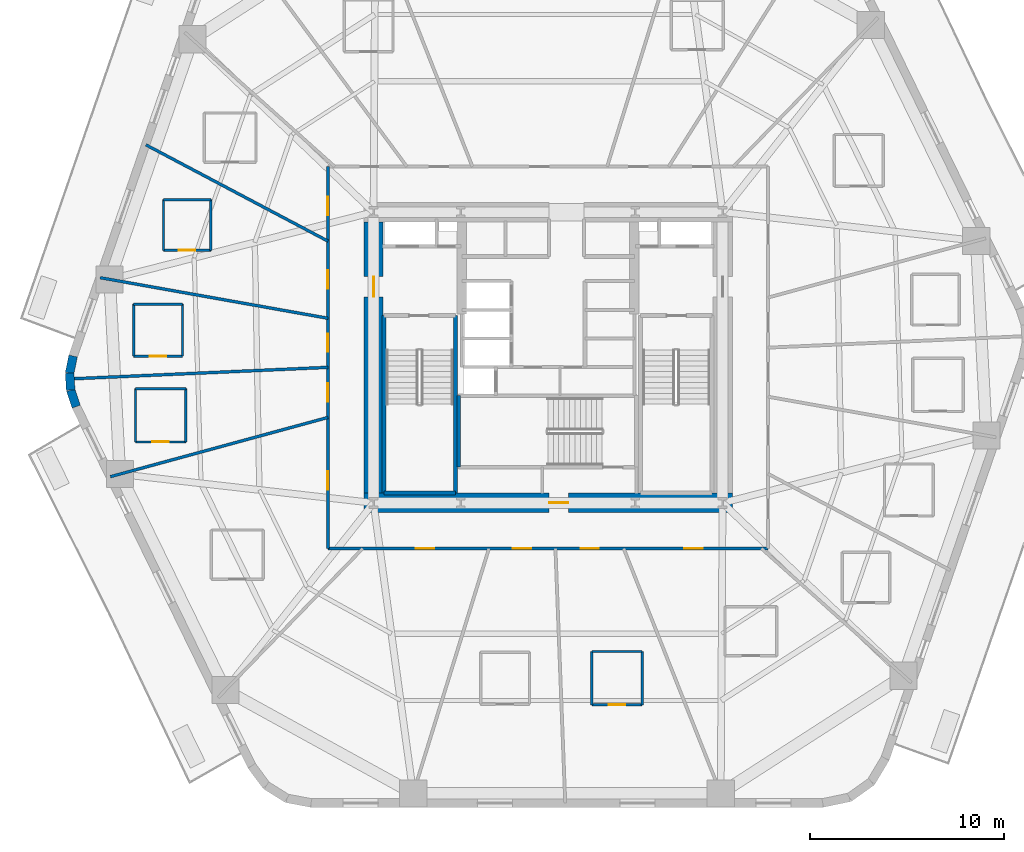
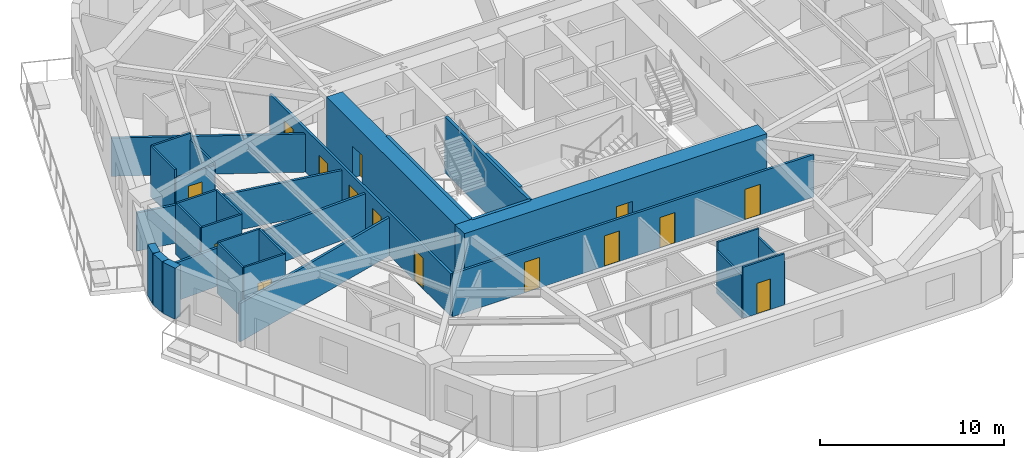
# One storey, part 3 of 10: 31 walls, 15 doors, 15 openings.
"""IFC4 building model written with IfcOpenShell, lengths in metres."""

from ifc_helpers import new_model, si_unit, direction, frame, frame_2d, origin, place, context, subcontext, project, spatial, rectangle, extrude, material, layer, layer_set, type_object, element, fill, save


model = new_model("IFC4")

# Units and contexts
model_context = context("Model", 3, precision=1e-05, world=origin(), true_north=direction((0.0, 1.0)))
body_context = subcontext(model_context, "Body", "Model", "MODEL_VIEW")
ifc_project = project(units=[si_unit("LENGTHUNIT", "METRE"), si_unit("AREAUNIT", "SQUARE_METRE"), si_unit("VOLUMEUNIT", "CUBIC_METRE"), si_unit("PLANEANGLEUNIT", "RADIAN"), si_unit("MASSUNIT", "GRAM", prefix="KILO")], contexts=[model_context])

# Site, building, storey
site_placement = place(None, origin())
site = spatial("IfcSite", under=ifc_project, at=site_placement, CompositionType="ELEMENT")
building_placement = place(site_placement, origin())
building = spatial("IfcBuilding", under=site, at=building_placement, Name="Kilnhurst Terrace Hotel", CompositionType="ELEMENT")
storey_placement = place(building_placement, frame((0.0, 0.0, 45.300048828125)))
storey = spatial("IfcBuildingStorey", under=building, at=storey_placement, Name="L09", CompositionType="ELEMENT", Elevation=45.300048828125)

# Walls
ifc_material_1 = material(Name="Precast concrete C40/50", Category="concrete")
ifc_layer_1 = layer(ifc_material_1, 0.449951171875, Name="Precast concrete C40/50")
ifc_layer_set_1 = layer_set([ifc_layer_1], Name="Precast concrete C40/50")
wall_type_1 = type_object("IfcWallType", Name="WL-BRK-450", PredefinedType="SOLIDWALL", material=ifc_layer_set_1)
wall_1_placement = place(storey_placement, frame((-24.49560546875, 0.07666015625, 0.0), z_axis=(0.0, 0.0, 1.0), x_axis=(-0.199570594521, -0.979883451132, 0.0)))
element("IfcWall", 1, at=wall_1_placement, inside=storey, type_object=wall_type_1, Name="L09 Rounded Corner Brick Wall C6.1", PredefinedType="SOLIDWALL", context=body_context, shape_type="SweptSolid", body=[
    extrude(rectangle(XDim=0.896728515625, YDim=0.449951171875, at=frame_2d((0.4482421875, 0.0))), origin(), (0.0, 0.0, 1.0), 3.39990234375),
])
wall_2_placement = place(storey_placement, frame((-24.674560546875, -0.802001953125, 0.0), z_axis=(0.0, 0.0, 1.0), x_axis=(0.061188874166, -0.998126205286, 0.0)))
element("IfcWall", 2, at=wall_2_placement, inside=storey, type_object=wall_type_1, Name="L09 Rounded Corner Brick Wall C6.2", PredefinedType="SOLIDWALL", context=body_context, shape_type="SweptSolid", body=[
    extrude(rectangle(XDim=0.8818359375, YDim=0.449951171875, at=frame_2d((0.44091796875, 0.0))), origin(), (0.0, 0.0, 1.0), 3.39990234375),
])
wall_3_placement = place(storey_placement, frame((-24.62060546875, -1.68212890625, 0.0), z_axis=(0.0, 0.0, 1.0), x_axis=(0.317697451681, -0.948192137278, 0.0)))
element("IfcWall", 3, at=wall_3_placement, inside=storey, type_object=wall_type_1, Name="L09 Rounded Corner Brick Wall C6.3", PredefinedType="SOLIDWALL", context=body_context, shape_type="SweptSolid", body=[
    extrude(rectangle(XDim=0.896728515625, YDim=0.449951171875, at=frame_2d((0.4482421875, 0.0))), origin(), (0.0, 0.0, 1.0), 3.39990234375),
])

# Wall, openings, doors
ifc_material_2 = material(Name="Acoustic Double-Gypsum Corridor Partition Assembly")
ifc_layer_2 = layer(ifc_material_2, 0.14990234375, Name="Acoustic Double-Gypsum Corridor Partition Assembly")
ifc_layer_set_2 = layer_set([ifc_layer_2], Name="Acoustic Double-Gypsum Corridor Partition Assembly")
wall_type_2 = type_object("IfcWallType", Name="WL-COR-150", PredefinedType="PARTITIONING", material=ifc_layer_set_2)
wall_4_placement = place(storey_placement, frame((-11.35009765625, -9.85009765625, 0.0), z_axis=(0.0, 0.0, 1.0), x_axis=(0.0, 1.0, 0.0)))
wall_4 = element("IfcWall", 4, at=wall_4_placement, inside=storey, type_object=wall_type_2, Name="L09 Interior Wall WL-L09-COR-01", PredefinedType="PARTITIONING", context=body_context, shape_type="SweptSolid", body=[
    extrude(rectangle(XDim=19.7001953125, YDim=0.14990234375, at=frame_2d((9.85009765625, 0.0))), origin(), (0.0, 0.0, 1.0), 2.83984375),
])
opening_1_placement = place(wall_4_placement, frame((17.180908203125, 0.0, 0.0)))
opening_1 = element("IfcOpeningElement", 5, at=opening_1_placement, cuts=wall_4, Name="Opening D-60B", PredefinedType="OPENING", context=body_context, shape_type="SweptSolid", body=[
    extrude(rectangle(XDim=0.949951171875, YDim=2.030029296875, at=frame_2d((0.47509765625, 1.01513671875))), frame((0.0, 0.0849609375, 0.0), z_axis=(0.0, -1.0, 0.0), x_axis=(1.0, 0.0, 0.0)), (0.0, 0.0, 1.0), 0.169921875),
])
opening_2_placement = place(wall_4_placement, frame((13.403076171875, 0.0, 0.0)))
opening_2 = element("IfcOpeningElement", 6, at=opening_2_placement, cuts=wall_4, Name="Opening D-60B", PredefinedType="OPENING", context=body_context, shape_type="SweptSolid", body=[
    extrude(rectangle(XDim=0.949951171875, YDim=2.030029296875, at=frame_2d((0.47509765625, 1.01513671875))), frame((0.0, 0.0849609375, 0.0), z_axis=(0.0, -1.0, 0.0), x_axis=(1.0, 0.0, 0.0)), (0.0, 0.0, 1.0), 0.169921875),
])
opening_3_placement = place(wall_4_placement, frame((10.134033203125, 0.0, 0.0)))
opening_3 = element("IfcOpeningElement", 7, at=opening_3_placement, cuts=wall_4, Name="Opening D-60B", PredefinedType="OPENING", context=body_context, shape_type="SweptSolid", body=[
    extrude(rectangle(XDim=0.949951171875, YDim=2.030029296875, at=frame_2d((0.47509765625, 1.01513671875))), frame((0.0, 0.0849609375, 0.0), z_axis=(0.0, -1.0, 0.0), x_axis=(1.0, 0.0, 0.0)), (0.0, 0.0, 1.0), 0.169921875),
])
opening_4_placement = place(wall_4_placement, frame((7.571044921875, 0.0, 0.0)))
opening_4 = element("IfcOpeningElement", 8, at=opening_4_placement, cuts=wall_4, Name="Opening D-60B", PredefinedType="OPENING", context=body_context, shape_type="SweptSolid", body=[
    extrude(rectangle(XDim=0.949951171875, YDim=2.030029296875, at=frame_2d((0.47509765625, 1.01513671875))), frame((0.0, 0.0849609375, 0.0), z_axis=(0.0, -1.0, 0.0), x_axis=(1.0, 0.0, 0.0)), (0.0, 0.0, 1.0), 0.169921875),
])
opening_5_placement = place(wall_4_placement, frame((3.02392578125, 0.0, 0.0)))
opening_5 = element("IfcOpeningElement", 9, at=opening_5_placement, cuts=wall_4, Name="Opening D-60B", PredefinedType="OPENING", context=body_context, shape_type="SweptSolid", body=[
    extrude(rectangle(XDim=0.949951171875, YDim=2.030029296875, at=frame_2d((0.47509765625, 1.01513671875))), frame((0.0, 0.0849609375, 0.0), z_axis=(0.0, -1.0, 0.0), x_axis=(1.0, 0.0, 0.0)), (0.0, 0.0, 1.0), 0.169921875),
])
ifc_material_3 = material(Name="Acoustic Walnut Veneer Solid-Core Fire Door")
door_type_1 = type_object("IfcDoorType", Name="DR-FD60-950", OperationType="NOTDEFINED", PredefinedType="DOOR", material=ifc_material_3)
door_1_placement = place(opening_1_placement, origin())
door_1 = element("IfcDoor", 10, at=door_1_placement, inside=storey, type_object=door_type_1, Name="L09 Guest Room Entry Door 8", OperationType="SINGLE_SWING_RIGHT", OverallHeight=2.030029296875, OverallWidth=0.949951171875, PredefinedType="DOOR", context=body_context, shape_type="SweptSolid", body=[
    extrude(rectangle(XDim=0.949951171875, YDim=2.030029296875, at=frame_2d((0.47509765625, 1.01513671875))), frame((0.0, 0.02490234375, 0.0), z_axis=(0.0, -1.0, 0.0), x_axis=(1.0, 0.0, 0.0)), (0.0, 0.0, 1.0), 0.050048828125),
])
fill(opening_1, door_1)
door_2_placement = place(opening_2_placement, origin())
door_2 = element("IfcDoor", 11, at=door_2_placement, inside=storey, type_object=door_type_1, Name="L09 Guest Room Entry Door 9", OperationType="SINGLE_SWING_LEFT", OverallHeight=2.030029296875, OverallWidth=0.949951171875, PredefinedType="DOOR", context=body_context, shape_type="SweptSolid", body=[
    extrude(rectangle(XDim=0.949951171875, YDim=2.030029296875, at=frame_2d((0.47509765625, 1.01513671875))), frame((0.0, 0.02490234375, 0.0), z_axis=(0.0, -1.0, 0.0), x_axis=(1.0, 0.0, 0.0)), (0.0, 0.0, 1.0), 0.050048828125),
])
fill(opening_2, door_2)
door_3_placement = place(opening_3_placement, origin())
door_3 = element("IfcDoor", 12, at=door_3_placement, inside=storey, type_object=door_type_1, Name="L09 Guest Room Entry Door 10", OperationType="SINGLE_SWING_RIGHT", OverallHeight=2.030029296875, OverallWidth=0.949951171875, PredefinedType="DOOR", context=body_context, shape_type="SweptSolid", body=[
    extrude(rectangle(XDim=0.949951171875, YDim=2.030029296875, at=frame_2d((0.47509765625, 1.01513671875))), frame((0.0, 0.02490234375, 0.0), z_axis=(0.0, -1.0, 0.0), x_axis=(1.0, 0.0, 0.0)), (0.0, 0.0, 1.0), 0.050048828125),
])
fill(opening_3, door_3)
door_4_placement = place(opening_4_placement, origin())
door_4 = element("IfcDoor", 13, at=door_4_placement, inside=storey, type_object=door_type_1, Name="L09 Guest Room Entry Door 11", OperationType="SINGLE_SWING_LEFT", OverallHeight=2.030029296875, OverallWidth=0.949951171875, PredefinedType="DOOR", context=body_context, shape_type="SweptSolid", body=[
    extrude(rectangle(XDim=0.949951171875, YDim=2.030029296875, at=frame_2d((0.47509765625, 1.01513671875))), frame((0.0, 0.02490234375, 0.0), z_axis=(0.0, -1.0, 0.0), x_axis=(1.0, 0.0, 0.0)), (0.0, 0.0, 1.0), 0.050048828125),
])
fill(opening_4, door_4)
door_5_placement = place(opening_5_placement, origin())
door_5 = element("IfcDoor", 14, at=door_5_placement, inside=storey, type_object=door_type_1, Name="L09 Executive Suite Entry Door 12", OperationType="SINGLE_SWING_RIGHT", OverallHeight=2.030029296875, OverallWidth=0.949951171875, PredefinedType="DOOR", context=body_context, shape_type="SweptSolid", body=[
    extrude(rectangle(XDim=0.949951171875, YDim=2.030029296875, at=frame_2d((0.47509765625, 1.01513671875))), frame((0.0, 0.02490234375, 0.0), z_axis=(0.0, -1.0, 0.0), x_axis=(1.0, 0.0, 0.0)), (0.0, 0.0, 1.0), 0.050048828125),
])
fill(opening_5, door_5)

wall_5_placement = place(storey_placement, frame((11.35009765625, -9.85009765625, 0.0), z_axis=(0.0, 0.0, 1.0), x_axis=(-1.0, 0.0, 0.0)))
wall_5 = element("IfcWall", 15, at=wall_5_placement, inside=storey, type_object=wall_type_2, Name="L09 Interior Wall WL-L09-COR-04", PredefinedType="PARTITIONING", context=body_context, shape_type="SweptSolid", body=[
    extrude(rectangle(XDim=22.7001953125, YDim=0.14990234375, at=frame_2d((11.35009765625, 0.0))), origin(), (0.0, 0.0, 1.0), 2.83984375),
])
opening_6_placement = place(wall_5_placement, frame((17.22509765625, 0.0, 0.0)))
opening_6 = element("IfcOpeningElement", 16, at=opening_6_placement, cuts=wall_5, Name="Opening D-60B", PredefinedType="OPENING", context=body_context, shape_type="SweptSolid", body=[
    extrude(rectangle(XDim=0.949951171875, YDim=2.030029296875, at=frame_2d((0.47509765625, 1.01513671875))), frame((0.0, 0.0849609375, 0.0), z_axis=(0.0, -1.0, 0.0), x_axis=(1.0, 0.0, 0.0)), (0.0, 0.0, 1.0), 0.169921875),
])
opening_7_placement = place(wall_5_placement, frame((12.214111328125, 0.0, 0.0)))
opening_7 = element("IfcOpeningElement", 17, at=opening_7_placement, cuts=wall_5, Name="Opening D-60B", PredefinedType="OPENING", context=body_context, shape_type="SweptSolid", body=[
    extrude(rectangle(XDim=0.949951171875, YDim=2.030029296875, at=frame_2d((0.47509765625, 1.01513671875))), frame((0.0, 0.0849609375, 0.0), z_axis=(0.0, -1.0, 0.0), x_axis=(1.0, 0.0, 0.0)), (0.0, 0.0, 1.0), 0.169921875),
])
opening_8_placement = place(wall_5_placement, frame((8.72509765625, 0.0, 0.0)))
opening_8 = element("IfcOpeningElement", 18, at=opening_8_placement, cuts=wall_5, Name="Opening D-60B", PredefinedType="OPENING", context=body_context, shape_type="SweptSolid", body=[
    extrude(rectangle(XDim=0.949951171875, YDim=2.030029296875, at=frame_2d((0.47509765625, 1.01513671875))), frame((0.0, 0.0849609375, 0.0), z_axis=(0.0, -1.0, 0.0), x_axis=(1.0, 0.0, 0.0)), (0.0, 0.0, 1.0), 0.169921875),
])
opening_9_placement = place(wall_5_placement, frame((3.368896484375, 0.0, 0.0)))
opening_9 = element("IfcOpeningElement", 19, at=opening_9_placement, cuts=wall_5, Name="Opening D-60B", PredefinedType="OPENING", context=body_context, shape_type="SweptSolid", body=[
    extrude(rectangle(XDim=0.949951171875, YDim=2.030029296875, at=frame_2d((0.47509765625, 1.01513671875))), frame((0.0, 0.0849609375, 0.0), z_axis=(0.0, -1.0, 0.0), x_axis=(1.0, 0.0, 0.0)), (0.0, 0.0, 1.0), 0.169921875),
])
door_6_placement = place(opening_6_placement, origin())
door_6 = element("IfcDoor", 20, at=door_6_placement, inside=storey, type_object=door_type_1, Name="L09 Private Dining Salon Door", OperationType="SINGLE_SWING_LEFT", OverallHeight=2.030029296875, OverallWidth=0.949951171875, PredefinedType="DOOR", context=body_context, shape_type="SweptSolid", body=[
    extrude(rectangle(XDim=0.949951171875, YDim=2.030029296875, at=frame_2d((0.47509765625, 1.01513671875))), frame((0.0, 0.02490234375, 0.0), z_axis=(0.0, -1.0, 0.0), x_axis=(1.0, 0.0, 0.0)), (0.0, 0.0, 1.0), 0.050048828125),
])
fill(opening_6, door_6)
door_7_placement = place(opening_7_placement, origin())
door_7 = element("IfcDoor", 21, at=door_7_placement, inside=storey, type_object=door_type_1, Name="L09 Guest Room Entry Door 14", OperationType="SINGLE_SWING_RIGHT", OverallHeight=2.030029296875, OverallWidth=0.949951171875, PredefinedType="DOOR", context=body_context, shape_type="SweptSolid", body=[
    extrude(rectangle(XDim=0.949951171875, YDim=2.030029296875, at=frame_2d((0.47509765625, 1.01513671875))), frame((0.0, 0.02490234375, 0.0), z_axis=(0.0, -1.0, 0.0), x_axis=(1.0, 0.0, 0.0)), (0.0, 0.0, 1.0), 0.050048828125),
])
fill(opening_7, door_7)
door_8_placement = place(opening_8_placement, origin())
door_8 = element("IfcDoor", 22, at=door_8_placement, inside=storey, type_object=door_type_1, Name="L09 Guest Room Entry Door 15", OperationType="SINGLE_SWING_LEFT", OverallHeight=2.030029296875, OverallWidth=0.949951171875, PredefinedType="DOOR", context=body_context, shape_type="SweptSolid", body=[
    extrude(rectangle(XDim=0.949951171875, YDim=2.030029296875, at=frame_2d((0.47509765625, 1.01513671875))), frame((0.0, 0.02490234375, 0.0), z_axis=(0.0, -1.0, 0.0), x_axis=(1.0, 0.0, 0.0)), (0.0, 0.0, 1.0), 0.050048828125),
])
fill(opening_8, door_8)
door_9_placement = place(opening_9_placement, origin())
door_9 = element("IfcDoor", 23, at=door_9_placement, inside=storey, type_object=door_type_1, Name="L09 Executive Suite Entry Door 16", OperationType="SINGLE_SWING_RIGHT", OverallHeight=2.030029296875, OverallWidth=0.949951171875, PredefinedType="DOOR", context=body_context, shape_type="SweptSolid", body=[
    extrude(rectangle(XDim=0.949951171875, YDim=2.030029296875, at=frame_2d((0.47509765625, 1.01513671875))), frame((0.0, 0.02490234375, 0.0), z_axis=(0.0, -1.0, 0.0), x_axis=(1.0, 0.0, 0.0)), (0.0, 0.0, 1.0), 0.050048828125),
])
fill(opening_9, door_9)

# Wall, opening, door
ifc_material_4 = material(Name="Concrete C80/95", Category="concrete")
ifc_layer_3 = layer(ifc_material_4, 1.0, Name="Concrete C80/95")
ifc_layer_set_3 = layer_set([ifc_layer_3], Name="Concrete C80/95")
wall_type_3 = type_object("IfcWallType", Name="WL-CORE-1000", PredefinedType="SHEAR", material=ifc_layer_set_3)
wall_6_placement = place(storey_placement, frame((-9.5, -7.5, 0.0), z_axis=(0.0, 0.0, 1.0), x_axis=(1.0, 0.0, 0.0)))
wall_6 = element("IfcWall", 24, at=wall_6_placement, inside=storey, type_object=wall_type_3, Name="L09 Core South Shear Wall", PredefinedType="SHEAR", context=body_context, shape_type="SweptSolid", body=[
    extrude(rectangle(XDim=19.0, YDim=1.0, at=frame_2d((9.5, 0.0))), origin(), (0.0, 0.0, 1.0), 3.699951171875),
])
opening_10_placement = place(wall_6_placement, frame((9.550048828125, 0.0, 0.0)))
opening_10 = element("IfcOpeningElement", 25, at=opening_10_placement, cuts=wall_6, Name="Opening D-90B", PredefinedType="OPENING", context=body_context, shape_type="SweptSolid", body=[
    extrude(rectangle(XDim=1.0, YDim=2.14990234375, at=frame_2d((0.5, 1.074951171875))), frame((0.0, 0.510009765625, 0.0), z_axis=(0.0, -1.0, 0.0), x_axis=(1.0, 0.0, 0.0)), (0.0, 0.0, 1.0), 1.02001953125),
])
ifc_material_5 = material(Name="Painted Hollow Metal Steel ASTM A36 Fire Door", Category="steel")
door_type_2 = type_object("IfcDoorType", Name="DR-FD90-1000", OperationType="NOTDEFINED", PredefinedType="DOOR", material=ifc_material_5)
door_10_placement = place(opening_10_placement, origin())
door_10 = element("IfcDoor", 26, at=door_10_placement, inside=storey, type_object=door_type_2, Name="L09 Stair ST-3 Corridor Door", OperationType="SINGLE_SWING_RIGHT", OverallHeight=2.14990234375, OverallWidth=1.0, PredefinedType="DOOR", context=body_context, shape_type="SweptSolid", body=[
    extrude(rectangle(XDim=1.0, YDim=2.14990234375, at=frame_2d((0.5, 1.074951171875))), frame((0.0, 0.02490234375, 0.0), z_axis=(0.0, -1.0, 0.0), x_axis=(1.0, 0.0, 0.0)), (0.0, 0.0, 1.0), 0.050048828125),
])
fill(opening_10, door_10)

wall_7_placement = place(storey_placement, frame((-9.0, -7.0, 0.0), z_axis=(0.0, 0.0, 1.0), x_axis=(0.0, 1.0, 0.0)))
wall_7 = element("IfcWall", 27, at=wall_7_placement, inside=storey, type_object=wall_type_3, Name="L09 Core West Shear Wall", PredefinedType="SHEAR", context=body_context, shape_type="SweptSolid", body=[
    extrude(rectangle(XDim=14.0, YDim=1.0, at=frame_2d((7.0, 0.0))), origin(), (0.0, 0.0, 1.0), 3.699951171875),
])
opening_11_placement = place(wall_7_placement, frame((10.125, 0.0, 0.0)))
opening_11 = element("IfcOpeningElement", 28, at=opening_11_placement, cuts=wall_7, Name="Opening D-90A", PredefinedType="OPENING", context=body_context, shape_type="SweptSolid", body=[
    extrude(rectangle(XDim=1.050048828125, YDim=2.14990234375, at=frame_2d((0.52490234375, 1.074951171875))), frame((0.0, 0.510009765625, 0.0), z_axis=(0.0, -1.0, 0.0), x_axis=(1.0, 0.0, 0.0)), (0.0, 0.0, 1.0), 1.02001953125),
])
door_type_3 = type_object("IfcDoorType", Name="DR-FD90-1050", OperationType="NOTDEFINED", PredefinedType="DOOR", material=ifc_material_5)
door_11_placement = place(opening_11_placement, origin())
door_11 = element("IfcDoor", 29, at=door_11_placement, inside=storey, type_object=door_type_3, Name="L09 West Firefighting Lobby Door", OperationType="SINGLE_SWING_RIGHT", OverallHeight=2.14990234375, OverallWidth=1.050048828125, PredefinedType="DOOR", context=body_context, shape_type="SweptSolid", body=[
    extrude(rectangle(XDim=1.050048828125, YDim=2.14990234375, at=frame_2d((0.52490234375, 1.074951171875))), frame((0.0, 0.02490234375, 0.0), z_axis=(0.0, -1.0, 0.0), x_axis=(1.0, 0.0, 0.0)), (0.0, 0.0, 1.0), 0.050048828125),
])
fill(opening_11, door_11)

# Walls
ifc_material_6 = material(Name="STC-58 Acoustic Twin-Frame Guestroom Demising Partition")
ifc_layer_4 = layer(ifc_material_6, 0.14990234375, Name="STC-58 Acoustic Twin-Frame Guestroom Demising Partition")
ifc_layer_set_4 = layer_set([ifc_layer_4], Name="STC-58 Acoustic Twin-Frame Guestroom Demising Partition")
wall_type_4 = type_object("IfcWallType", Name="WL-DEM-150", PredefinedType="PARTITIONING", material=ifc_layer_set_4)
wall_8_placement = place(storey_placement, frame((-11.35009765625, 6.00146484375, 0.0), z_axis=(0.0, 0.0, 1.0), x_axis=(-0.884022077319, 0.467445148453, 0.0)))
element("IfcWall", 30, at=wall_8_placement, inside=storey, type_object=wall_type_4, Name="L09 Interior Wall WL-L09-DEM-MID05-09-1", PredefinedType="PARTITIONING", context=body_context, shape_type="SweptSolid", body=[
    extrude(rectangle(XDim=10.621337890625, YDim=0.14990234375, at=frame_2d((5.310546875, 0.0))), origin(), (0.0, 0.0, 1.0), 2.5400390625),
])
wall_9_placement = place(storey_placement, frame((-11.35009765625, 2.022705078125, 0.0), z_axis=(0.0, 0.0, 1.0), x_axis=(-0.984493741877, 0.17541970301, 0.0)))
element("IfcWall", 31, at=wall_9_placement, inside=storey, type_object=wall_type_4, Name="L09 Interior Wall WL-L09-DEM-COL06-10-1", PredefinedType="PARTITIONING", context=body_context, shape_type="SweptSolid", body=[
    extrude(rectangle(XDim=11.93701171875, YDim=0.14990234375, at=frame_2d((5.968505859375, 0.0))), origin(), (0.0, 0.0, 1.0), 2.5400390625),
])
wall_10_placement = place(storey_placement, frame((-11.35009765625, -0.50830078125, 0.0), z_axis=(0.0, 0.0, 1.0), x_axis=(-0.998998237556, -0.044749540337, 0.0)))
element("IfcWall", 32, at=wall_10_placement, inside=storey, type_object=wall_type_4, Name="L09 Interior Wall WL-L09-DEM-MID06-11-1", PredefinedType="PARTITIONING", context=body_context, shape_type="SweptSolid", body=[
    extrude(rectangle(XDim=13.1591796875, YDim=0.14990234375, at=frame_2d((6.57958984375, 0.0))), origin(), (0.0, 0.0, 1.0), 2.5400390625),
])
wall_11_placement = place(storey_placement, frame((-11.35009765625, -3.0908203125, 0.0), z_axis=(0.0, 0.0, 1.0), x_axis=(-0.964859685283, -0.262765651704, 0.0)))
element("IfcWall", 33, at=wall_11_placement, inside=storey, type_object=wall_type_4, Name="L09 Interior Wall WL-L09-DEM-COL07-12-1", PredefinedType="PARTITIONING", context=body_context, shape_type="SweptSolid", body=[
    extrude(rectangle(XDim=11.62890625, YDim=0.14990234375, at=frame_2d((5.814453125, 0.0))), origin(), (0.0, 0.0, 1.0), 2.5400390625),
])

# Wall, opening, door
ifc_material_7 = material(Name="120 mm Moisture-Resistant Tile-Backed Bathroom Partition")
ifc_layer_5 = layer(ifc_material_7, 0.1201171875, Name="120 mm Moisture-Resistant Tile-Backed Bathroom Partition")
ifc_layer_set_5 = layer_set([ifc_layer_5], Name="120 mm Moisture-Resistant Tile-Backed Bathroom Partition")
wall_type_5 = type_object("IfcWallType", Name="WL-PART-120", PredefinedType="PARTITIONING", material=ifc_layer_set_5)
wall_12_placement = place(storey_placement, frame((-19.833984375, 5.528076171875, 0.0), z_axis=(0.0, 0.0, 1.0), x_axis=(1.0, 0.0, 0.0)))
wall_12 = element("IfcWall", 34, at=wall_12_placement, inside=storey, type_object=wall_type_5, Name="L09 Interior Wall WL-L09-BTH-09-1", PredefinedType="PARTITIONING", context=body_context, shape_type="SweptSolid", body=[
    extrude(rectangle(XDim=2.43994140625, YDim=0.1201171875, at=frame_2d((1.219970703125, 0.0))), origin(), (0.0, 0.0, 1.0), 2.83984375),
])
opening_12_placement = place(wall_12_placement, frame((0.794921875, 0.0, 0.0)))
opening_12 = element("IfcOpeningElement", 35, at=opening_12_placement, cuts=wall_12, Name="Opening D-08A", PredefinedType="OPENING", context=body_context, shape_type="SweptSolid", body=[
    extrude(rectangle(XDim=0.85009765625, YDim=2.030029296875, at=frame_2d((0.425048828125, 1.01513671875))), frame((0.0, 0.070068359375, 0.0), z_axis=(0.0, -1.0, 0.0), x_axis=(1.0, 0.0, 0.0)), (0.0, 0.0, 1.0), 0.14013671875),
])
ifc_material_8 = material(Name="Moisture-Resistant Lacquered En-suite Bathroom Door")
door_type_4 = type_object("IfcDoorType", Name="DR-INT-850", OperationType="NOTDEFINED", PredefinedType="DOOR", material=ifc_material_8)
door_12_placement = place(opening_12_placement, origin())
door_12 = element("IfcDoor", 36, at=door_12_placement, inside=storey, type_object=door_type_4, Name="L09 En-suite Bathroom Door 9", OperationType="SINGLE_SWING_RIGHT", OverallHeight=2.030029296875, OverallWidth=0.85009765625, PredefinedType="DOOR", context=body_context, shape_type="SweptSolid", body=[
    extrude(rectangle(XDim=0.85009765625, YDim=2.030029296875, at=frame_2d((0.425048828125, 1.01513671875))), frame((0.0, 0.02490234375, 0.0), z_axis=(0.0, -1.0, 0.0), x_axis=(1.0, 0.0, 0.0)), (0.0, 0.0, 1.0), 0.050048828125),
])
fill(opening_12, door_12)

# Walls
wall_13_placement = place(storey_placement, frame((-17.39404296875, 5.528076171875, 0.0), z_axis=(0.0, 0.0, 1.0), x_axis=(0.0, 1.0, 0.0)))
element("IfcWall", 37, at=wall_13_placement, inside=storey, type_object=wall_type_5, Name="L09 Interior Wall WL-L09-BTH-09-2", PredefinedType="PARTITIONING", context=body_context, shape_type="SweptSolid", body=[
    extrude(rectangle(XDim=2.60986328125, YDim=0.1201171875, at=frame_2d((1.304931640625, 0.0))), origin(), (0.0, 0.0, 1.0), 2.972412109375),
])
wall_14_placement = place(storey_placement, frame((-17.39404296875, 8.137939453125, 0.0), z_axis=(0.0, 0.0, 1.0), x_axis=(-1.0, 0.0, 0.0)))
element("IfcWall", 38, at=wall_14_placement, inside=storey, type_object=wall_type_5, Name="L09 Interior Wall WL-L09-BTH-09-3", PredefinedType="PARTITIONING", context=body_context, shape_type="SweptSolid", body=[
    extrude(rectangle(XDim=2.43994140625, YDim=0.1201171875, at=frame_2d((1.219970703125, 0.0))), origin(), (0.0, 0.0, 1.0), 3.39990234375),
])
wall_15_placement = place(storey_placement, frame((-19.833984375, 8.137939453125, 0.0), z_axis=(0.0, 0.0, 1.0), x_axis=(0.0, -1.0, 0.0)))
element("IfcWall", 39, at=wall_15_placement, inside=storey, type_object=wall_type_5, Name="L09 Interior Wall WL-L09-BTH-09-4", PredefinedType="PARTITIONING", context=body_context, shape_type="SweptSolid", body=[
    extrude(rectangle(XDim=2.60986328125, YDim=0.1201171875, at=frame_2d((1.304931640625, 0.0))), origin(), (0.0, 0.0, 1.0), 3.39990234375),
])

# Wall, opening, door
wall_16_placement = place(storey_placement, frame((-21.3740234375, 0.06689453125, 0.0), z_axis=(0.0, 0.0, 1.0), x_axis=(1.0, 0.0, 0.0)))
wall_16 = element("IfcWall", 40, at=wall_16_placement, inside=storey, type_object=wall_type_5, Name="L09 Interior Wall WL-L09-BTH-10-1", PredefinedType="PARTITIONING", context=body_context, shape_type="SweptSolid", body=[
    extrude(rectangle(XDim=2.52001953125, YDim=0.1201171875, at=frame_2d((1.260009765625, 0.0))), origin(), (0.0, 0.0, 1.0), 3.39990234375),
])
opening_13_placement = place(wall_16_placement, frame((0.8349609375, 0.0, 0.0)))
opening_13 = element("IfcOpeningElement", 41, at=opening_13_placement, cuts=wall_16, Name="Opening D-08A", PredefinedType="OPENING", context=body_context, shape_type="SweptSolid", body=[
    extrude(rectangle(XDim=0.85009765625, YDim=2.030029296875, at=frame_2d((0.425048828125, 1.01513671875))), frame((0.0, 0.070068359375, 0.0), z_axis=(0.0, -1.0, 0.0), x_axis=(1.0, 0.0, 0.0)), (0.0, 0.0, 1.0), 0.14013671875),
])
door_13_placement = place(opening_13_placement, origin())
door_13 = element("IfcDoor", 42, at=door_13_placement, inside=storey, type_object=door_type_4, Name="L09 En-suite Bathroom Door 10", OperationType="SINGLE_SWING_LEFT", OverallHeight=2.030029296875, OverallWidth=0.85009765625, PredefinedType="DOOR", context=body_context, shape_type="SweptSolid", body=[
    extrude(rectangle(XDim=0.85009765625, YDim=2.030029296875, at=frame_2d((0.425048828125, 1.01513671875))), frame((0.0, 0.02490234375, 0.0), z_axis=(0.0, -1.0, 0.0), x_axis=(1.0, 0.0, 0.0)), (0.0, 0.0, 1.0), 0.050048828125),
])
fill(opening_13, door_13)

# Walls
wall_17_placement = place(storey_placement, frame((-18.85400390625, 0.06689453125, 0.0), z_axis=(0.0, 0.0, 1.0), x_axis=(0.0, 1.0, 0.0)))
element("IfcWall", 43, at=wall_17_placement, inside=storey, type_object=wall_type_5, Name="L09 Interior Wall WL-L09-BTH-10-2", PredefinedType="PARTITIONING", context=body_context, shape_type="SweptSolid", body=[
    extrude(rectangle(XDim=2.68017578125, YDim=0.1201171875, at=frame_2d((1.340087890625, 0.0))), origin(), (0.0, 0.0, 1.0), 3.39990234375),
])
wall_18_placement = place(storey_placement, frame((-18.85400390625, 2.7470703125, 0.0), z_axis=(0.0, 0.0, 1.0), x_axis=(-1.0, 0.0, 0.0)))
element("IfcWall", 44, at=wall_18_placement, inside=storey, type_object=wall_type_5, Name="L09 Interior Wall WL-L09-BTH-10-3", PredefinedType="PARTITIONING", context=body_context, shape_type="SweptSolid", body=[
    extrude(rectangle(XDim=2.52001953125, YDim=0.1201171875, at=frame_2d((1.260009765625, 0.0))), origin(), (0.0, 0.0, 1.0), 3.39990234375),
])
wall_19_placement = place(storey_placement, frame((-21.3740234375, 2.7470703125, 0.0), z_axis=(0.0, 0.0, 1.0), x_axis=(0.0, -1.0, 0.0)))
element("IfcWall", 45, at=wall_19_placement, inside=storey, type_object=wall_type_5, Name="L09 Interior Wall WL-L09-BTH-10-4", PredefinedType="PARTITIONING", context=body_context, shape_type="SweptSolid", body=[
    extrude(rectangle(XDim=2.68017578125, YDim=0.1201171875, at=frame_2d((1.340087890625, 0.0))), origin(), (0.0, 0.0, 1.0), 3.39990234375),
])

# Wall, opening, door
wall_20_placement = place(storey_placement, frame((-21.280029296875, -4.35595703125, 0.0), z_axis=(0.0, 0.0, 1.0), x_axis=(1.0, 0.0, 0.0)))
wall_20 = element("IfcWall", 46, at=wall_20_placement, inside=storey, type_object=wall_type_5, Name="L09 Interior Wall WL-L09-BTH-11-1", PredefinedType="PARTITIONING", context=body_context, shape_type="SweptSolid", body=[
    extrude(rectangle(XDim=2.60009765625, YDim=0.1201171875, at=frame_2d((1.300048828125, 0.0))), origin(), (0.0, 0.0, 1.0), 3.39990234375),
])
opening_14_placement = place(wall_20_placement, frame((0.875, 0.0, 0.0)))
opening_14 = element("IfcOpeningElement", 47, at=opening_14_placement, cuts=wall_20, Name="Opening D-08A", PredefinedType="OPENING", context=body_context, shape_type="SweptSolid", body=[
    extrude(rectangle(XDim=0.85009765625, YDim=2.030029296875, at=frame_2d((0.425048828125, 1.01513671875))), frame((0.0, 0.070068359375, 0.0), z_axis=(0.0, -1.0, 0.0), x_axis=(1.0, 0.0, 0.0)), (0.0, 0.0, 1.0), 0.14013671875),
])
door_14_placement = place(opening_14_placement, origin())
door_14 = element("IfcDoor", 48, at=door_14_placement, inside=storey, type_object=door_type_4, Name="L09 En-suite Bathroom Door 11", OperationType="SINGLE_SWING_RIGHT", OverallHeight=2.030029296875, OverallWidth=0.85009765625, PredefinedType="DOOR", context=body_context, shape_type="SweptSolid", body=[
    extrude(rectangle(XDim=0.85009765625, YDim=2.030029296875, at=frame_2d((0.425048828125, 1.01513671875))), frame((0.0, 0.02490234375, 0.0), z_axis=(0.0, -1.0, 0.0), x_axis=(1.0, 0.0, 0.0)), (0.0, 0.0, 1.0), 0.050048828125),
])
fill(opening_14, door_14)

# Walls
wall_21_placement = place(storey_placement, frame((-18.679931640625, -4.35595703125, 0.0), z_axis=(0.0, 0.0, 1.0), x_axis=(0.0, 1.0, 0.0)))
element("IfcWall", 49, at=wall_21_placement, inside=storey, type_object=wall_type_5, Name="L09 Interior Wall WL-L09-BTH-11-2", PredefinedType="PARTITIONING", context=body_context, shape_type="SweptSolid", body=[
    extrude(rectangle(XDim=2.75, YDim=0.1201171875, at=frame_2d((1.375, 0.0))), origin(), (0.0, 0.0, 1.0), 3.39990234375),
])
wall_22_placement = place(storey_placement, frame((-18.679931640625, -1.60595703125, 0.0), z_axis=(0.0, 0.0, 1.0), x_axis=(-1.0, 0.0, 0.0)))
element("IfcWall", 50, at=wall_22_placement, inside=storey, type_object=wall_type_5, Name="L09 Interior Wall WL-L09-BTH-11-3", PredefinedType="PARTITIONING", context=body_context, shape_type="SweptSolid", body=[
    extrude(rectangle(XDim=2.60009765625, YDim=0.1201171875, at=frame_2d((1.300048828125, 0.0))), origin(), (0.0, 0.0, 1.0), 3.39990234375),
])
wall_23_placement = place(storey_placement, frame((-21.280029296875, -1.60595703125, 0.0), z_axis=(0.0, 0.0, 1.0), x_axis=(0.0, -1.0, 0.0)))
element("IfcWall", 51, at=wall_23_placement, inside=storey, type_object=wall_type_5, Name="L09 Interior Wall WL-L09-BTH-11-4", PredefinedType="PARTITIONING", context=body_context, shape_type="SweptSolid", body=[
    extrude(rectangle(XDim=2.75, YDim=0.1201171875, at=frame_2d((1.375, 0.0))), origin(), (0.0, 0.0, 1.0), 3.39990234375),
])

# Wall, opening, door
wall_24_placement = place(storey_placement, frame((2.2548828125, -17.912109375, 0.0), z_axis=(0.0, 0.0, 1.0), x_axis=(1.0, 0.0, 0.0)))
wall_24 = element("IfcWall", 52, at=wall_24_placement, inside=storey, type_object=wall_type_5, Name="L09 Interior Wall WL-L09-BTH-15-1", PredefinedType="PARTITIONING", context=body_context, shape_type="SweptSolid", body=[
    extrude(rectangle(XDim=2.60009765625, YDim=0.1201171875, at=frame_2d((1.300048828125, 0.0))), origin(), (0.0, 0.0, 1.0), 3.39990234375),
])
opening_15_placement = place(wall_24_placement, frame((0.875, 0.0, 0.0)))
opening_15 = element("IfcOpeningElement", 53, at=opening_15_placement, cuts=wall_24, Name="Opening D-08A", PredefinedType="OPENING", context=body_context, shape_type="SweptSolid", body=[
    extrude(rectangle(XDim=0.85009765625, YDim=2.030029296875, at=frame_2d((0.425048828125, 1.01513671875))), frame((0.0, 0.070068359375, 0.0), z_axis=(0.0, -1.0, 0.0), x_axis=(1.0, 0.0, 0.0)), (0.0, 0.0, 1.0), 0.14013671875),
])
door_15_placement = place(opening_15_placement, origin())
door_15 = element("IfcDoor", 54, at=door_15_placement, inside=storey, type_object=door_type_4, Name="L09 En-suite Bathroom Door 15", OperationType="SINGLE_SWING_RIGHT", OverallHeight=2.030029296875, OverallWidth=0.85009765625, PredefinedType="DOOR", context=body_context, shape_type="SweptSolid", body=[
    extrude(rectangle(XDim=0.85009765625, YDim=2.030029296875, at=frame_2d((0.425048828125, 1.01513671875))), frame((0.0, 0.02490234375, 0.0), z_axis=(0.0, -1.0, 0.0), x_axis=(1.0, 0.0, 0.0)), (0.0, 0.0, 1.0), 0.050048828125),
])
fill(opening_15, door_15)

# Walls
wall_25_placement = place(storey_placement, frame((4.85498046875, -17.912109375, 0.0), z_axis=(0.0, 0.0, 1.0), x_axis=(0.0, 1.0, 0.0)))
element("IfcWall", 55, at=wall_25_placement, inside=storey, type_object=wall_type_5, Name="L09 Interior Wall WL-L09-BTH-15-2", PredefinedType="PARTITIONING", context=body_context, shape_type="SweptSolid", body=[
    extrude(rectangle(XDim=2.75, YDim=0.1201171875, at=frame_2d((1.375, 0.0))), origin(), (0.0, 0.0, 1.0), 2.84033203125),
])
wall_26_placement = place(storey_placement, frame((4.85498046875, -15.162109375, 0.0), z_axis=(0.0, 0.0, 1.0), x_axis=(-1.0, 0.0, 0.0)))
element("IfcWall", 56, at=wall_26_placement, inside=storey, type_object=wall_type_5, Name="L09 Interior Wall WL-L09-BTH-15-3", PredefinedType="PARTITIONING", context=body_context, shape_type="SweptSolid", body=[
    extrude(rectangle(XDim=2.60009765625, YDim=0.1201171875, at=frame_2d((1.300048828125, 0.0))), origin(), (0.0, 0.0, 1.0), 3.39990234375),
])
wall_27_placement = place(storey_placement, frame((2.2548828125, -15.162109375, 0.0), z_axis=(0.0, 0.0, 1.0), x_axis=(0.0, -1.0, 0.0)))
element("IfcWall", 57, at=wall_27_placement, inside=storey, type_object=wall_type_5, Name="L09 Interior Wall WL-L09-BTH-15-4", PredefinedType="PARTITIONING", context=body_context, shape_type="SweptSolid", body=[
    extrude(rectangle(XDim=2.75, YDim=0.1201171875, at=frame_2d((1.375, 0.0))), origin(), (0.0, 0.0, 1.0), 2.84033203125),
])
ifc_material_9 = material(Name="Concrete C50/60", Category="concrete")
ifc_layer_6 = layer(ifc_material_9, 0.199951171875, Name="Concrete C50/60")
ifc_layer_set_6 = layer_set([ifc_layer_6], Name="Concrete C50/60")
wall_type_6 = type_object("IfcWallType", Name="WL-STAIR-RC-200", PredefinedType="SHEAR", material=ifc_layer_set_6)
for number, where, z_axis, x_axis, name in (
    (58, (-8.4580078125, -6.985107421875, 0.0), (0.0, 0.0, 1.0), (0.0, 1.0, 0.0), "L09 Structural Stair Shaft Wall WL-L09-ST1-W"),
    (59, (-4.77197265625, -6.985107421875, 0.0), (0.0, 0.0, 1.0), (0.0, 1.0, 0.0), "L09 Structural Stair Shaft Wall WL-L09-ST1-E"),
):
    element("IfcWall", number, at=place(storey_placement, frame(where, z_axis=z_axis, x_axis=x_axis)), inside=storey, type_object=wall_type_6, Name=name, PredefinedType="SHEAR", context=body_context, shape_type="SweptSolid", body=[
        extrude(rectangle(XDim=9.14306640625, YDim=0.199951171875, at=frame_2d((4.571533203125, 0.0))), origin(), (0.0, 0.0, 1.0), 3.699951171875),
    ])
for number, where, z_axis, x_axis, name in (
    (60, (-8.4580078125, -6.985107421875, 0.0), (0.0, 0.0, 1.0), (1.0, 0.0, 0.0), "L09 Structural Stair Shaft Wall WL-L09-ST1-S"),
    (61, (-4.60791015625, -5.657958984375, 0.0), (0.0, 0.0, 1.0), (0.0, 1.0, 0.0), "L09 Structural Stair Shaft Wall WL-L09-ST3-W"),
):
    element("IfcWall", number, at=place(storey_placement, frame(where, z_axis=z_axis, x_axis=x_axis)), inside=storey, type_object=wall_type_6, Name=name, PredefinedType="SHEAR", context=body_context, shape_type="SweptSolid", body=[
        extrude(rectangle(XDim=3.68603515625, YDim=0.199951171875, at=frame_2d((1.843017578125, 0.0))), origin(), (0.0, 0.0, 1.0), 3.699951171875),
    ])

save(model, "model.ifc")
